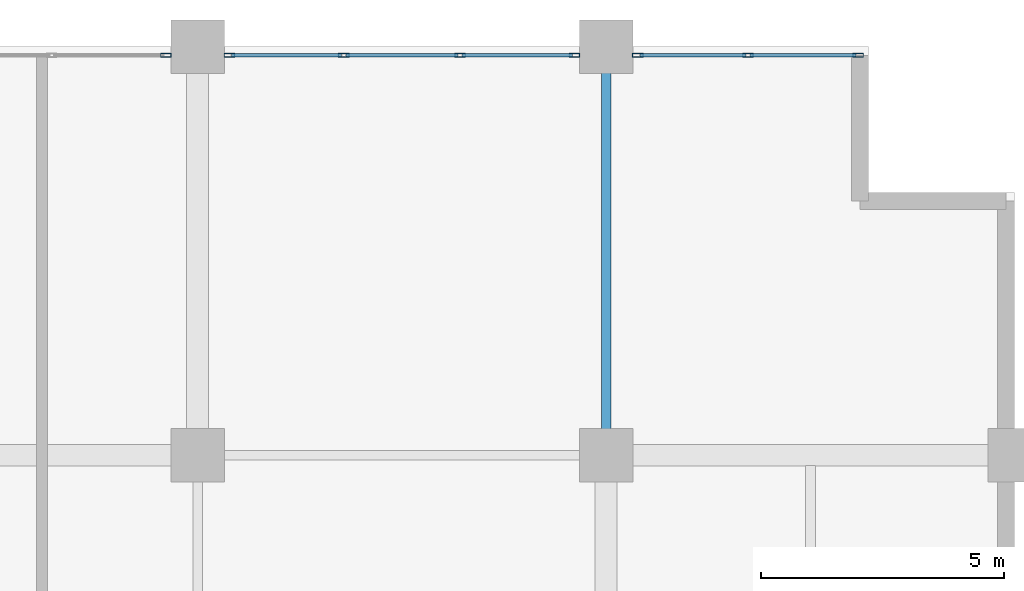
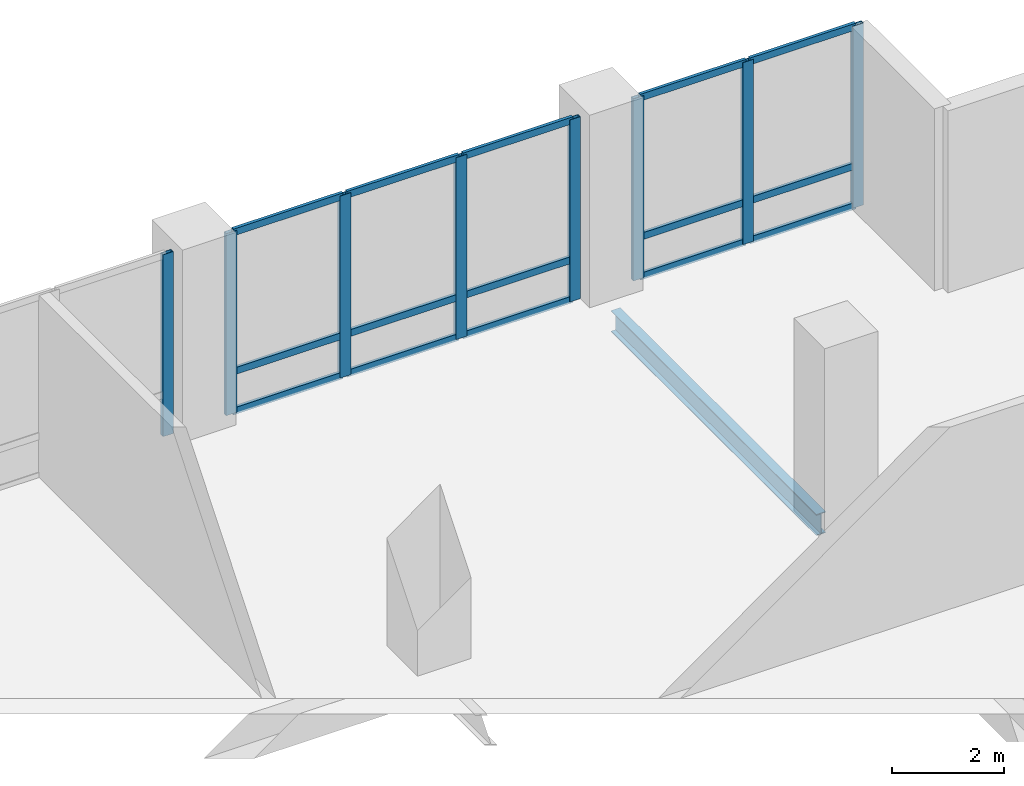
# One storey, part 8 of 22: 23 members, 1 beam, 3 elements without a shape of their own.
"""IFC4 building model written with IfcOpenShell, lengths in metres."""

from ifc_helpers import new_model, si_unit, direction, frame, origin, origin_2d, place, context, subcontext, project, spatial, hollow_rectangle, i_section, extrude, material, layer, layer_set, material_profile, profile_set, type_object, element, aggregate, save


model = new_model("IFC4")

# Units and contexts
model_context = context("Model", 3, precision=1e-05, world=origin(), true_north=direction((0.0, 1.0)))
body_context = subcontext(model_context, "Body", "Model", "MODEL_VIEW")
ifc_project = project(units=[si_unit("LENGTHUNIT", "METRE"), si_unit("AREAUNIT", "SQUARE_METRE"), si_unit("VOLUMEUNIT", "CUBIC_METRE"), si_unit("PLANEANGLEUNIT", "RADIAN"), si_unit("MASSUNIT", "GRAM", prefix="KILO")], contexts=[model_context])

# Site, building, storey
site_placement = place(None, origin())
site = spatial("IfcSite", under=ifc_project, at=site_placement, CompositionType="ELEMENT")
building_placement = place(site_placement, origin())
building = spatial("IfcBuilding", under=site, at=building_placement, Name="Koriwani Terraces Tower", CompositionType="ELEMENT")
storey_placement = place(building_placement, frame((0.0, 0.0, 219.800048828125)))
storey = spatial("IfcBuildingStorey", under=building, at=storey_placement, Name="L54", CompositionType="ELEMENT", Elevation=219.800048828125)

# Curtain wall, member
ifc_material_1 = material(Name="Anodised Bronze Aluminium", Category="aluminium")
ifc_layer = layer(ifc_material_1, 0.219970703125, Name="Anodised Bronze Aluminium")
ifc_layer_set = layer_set([ifc_layer], Name="Anodised Bronze Aluminium")
curtain_wall_type = type_object("IfcCurtainWallType", Name="CW_SKY_LOUNGE", PredefinedType="NOTDEFINED", material=ifc_layer_set)
curtain_wall_1_placement = place(storey_placement, origin())
curtain_wall_1 = element("IfcCurtainWall", 1, at=curtain_wall_1_placement, inside=storey, type_object=curtain_wall_type, Name="L54 Unitised Curtain Wall (N_TIP) Bay 2", PredefinedType="NOTDEFINED")
ifc_material_profile_1 = material_profile(ifc_material_1, hollow_rectangle(XDim=0.0849609375, YDim=0.219970703125, WallThickness=0.008056640625, at=origin_2d()), Name="Anodised Bronze Aluminium", Category="LoadBearing")
ifc_profile_set_1 = profile_set([ifc_material_profile_1], Name="Anodised Bronze Aluminium")
member_type_1 = type_object("IfcMemberType", Name="CW_MULLION_220X85", PredefinedType="MULLION", material=ifc_profile_set_1)
member_1_placement = place(storey_placement, frame((16.1474609375, 75.425048828125, 0.0), z_axis=(0.0, 0.0, 1.0), x_axis=(0.0, 1.0, 0.0)))
member_1 = element("IfcMember", 2, at=member_1_placement, type_object=member_type_1, Name="CW-SKY mullion 4", PredefinedType="MULLION", context=body_context, shape_type="SweptSolid", body=[
    extrude(hollow_rectangle(XDim=0.0849609375, YDim=0.219970703125, WallThickness=0.008056640625, at=origin_2d()), origin(), (0.0, 0.0, 1.0), 3.969970703125),
])
aggregate(curtain_wall_1, [member_1])

# Curtain wall, members
curtain_wall_2_placement = place(storey_placement, origin())
curtain_wall_2 = element("IfcCurtainWall", 3, at=curtain_wall_2_placement, inside=storey, type_object=curtain_wall_type, Name="L54 Unitised Curtain Wall (N_TIP) Bay 3", PredefinedType="NOTDEFINED")
member_2_placement = place(storey_placement, frame((17.452392578125, 75.425048828125, 0.0), z_axis=(0.0, 0.0, 1.0), x_axis=(0.0, 1.0, 0.0)))
member_2 = element("IfcMember", 4, at=member_2_placement, type_object=member_type_1, Name="CW-SKY mullion 1", PredefinedType="MULLION", context=body_context, shape_type="SweptSolid", body=[
    extrude(hollow_rectangle(XDim=0.0849609375, YDim=0.219970703125, WallThickness=0.008056640625, at=origin_2d()), origin(), (0.0, 0.0, 1.0), 3.969970703125),
])
member_3_placement = place(storey_placement, frame((19.80322265625, 75.425048828125, 0.0), z_axis=(0.0, 0.0, 1.0), x_axis=(0.0, 1.0, 0.0)))
member_3 = element("IfcMember", 5, at=member_3_placement, type_object=member_type_1, Name="CW-SKY mullion 2", PredefinedType="MULLION", context=body_context, shape_type="SweptSolid", body=[
    extrude(hollow_rectangle(XDim=0.0849609375, YDim=0.219970703125, WallThickness=0.008056640625, at=origin_2d()), origin(), (0.0, 0.0, 1.0), 3.969970703125),
])
member_4_placement = place(storey_placement, frame((22.19677734375, 75.425048828125, 0.0), z_axis=(0.0, 0.0, 1.0), x_axis=(0.0, 1.0, 0.0)))
member_4 = element("IfcMember", 6, at=member_4_placement, type_object=member_type_1, Name="CW-SKY mullion 3", PredefinedType="MULLION", context=body_context, shape_type="SweptSolid", body=[
    extrude(hollow_rectangle(XDim=0.0849609375, YDim=0.219970703125, WallThickness=0.008056640625, at=origin_2d()), origin(), (0.0, 0.0, 1.0), 3.969970703125),
])
member_5_placement = place(storey_placement, frame((24.547607421875, 75.425048828125, 0.0), z_axis=(0.0, 0.0, 1.0), x_axis=(0.0, 1.0, 0.0)))
member_5 = element("IfcMember", 7, at=member_5_placement, type_object=member_type_1, Name="CW-SKY mullion 4", PredefinedType="MULLION", context=body_context, shape_type="SweptSolid", body=[
    extrude(hollow_rectangle(XDim=0.0849609375, YDim=0.219970703125, WallThickness=0.008056640625, at=origin_2d()), origin(), (0.0, 0.0, 1.0), 3.969970703125),
])

curtain_wall_3_placement = place(storey_placement, origin())
curtain_wall_3 = element("IfcCurtainWall", 8, at=curtain_wall_3_placement, inside=storey, type_object=curtain_wall_type, Name="L54 Unitised Curtain Wall (N_TIP) Bay 4", PredefinedType="NOTDEFINED")
member_6_placement = place(storey_placement, frame((25.8525390625, 75.425048828125, 0.0), z_axis=(0.0, 0.0, 1.0), x_axis=(0.0, 1.0, 0.0)))
member_6 = element("IfcMember", 9, at=member_6_placement, type_object=member_type_1, Name="CW-SKY mullion 1", PredefinedType="MULLION", context=body_context, shape_type="SweptSolid", body=[
    extrude(hollow_rectangle(XDim=0.0849609375, YDim=0.219970703125, WallThickness=0.008056640625, at=origin_2d()), origin(), (0.0, 0.0, 1.0), 3.969970703125),
])
member_7_placement = place(storey_placement, frame((28.117431640625, 75.425048828125, 0.0), z_axis=(0.0, 0.0, 1.0), x_axis=(0.0, 1.0, 0.0)))
member_7 = element("IfcMember", 10, at=member_7_placement, type_object=member_type_1, Name="CW-SKY mullion 2", PredefinedType="MULLION", context=body_context, shape_type="SweptSolid", body=[
    extrude(hollow_rectangle(XDim=0.0849609375, YDim=0.219970703125, WallThickness=0.008056640625, at=origin_2d()), origin(), (0.0, 0.0, 1.0), 3.969970703125),
])
member_8_placement = place(storey_placement, frame((30.382568359375, 75.425048828125, 0.0), z_axis=(0.0, 0.0, 1.0), x_axis=(0.0, 1.0, 0.0)))
member_8 = element("IfcMember", 11, at=member_8_placement, type_object=member_type_1, Name="CW-SKY mullion 3", PredefinedType="MULLION", context=body_context, shape_type="SweptSolid", body=[
    extrude(hollow_rectangle(XDim=0.0849609375, YDim=0.219970703125, WallThickness=0.008056640625, at=origin_2d()), origin(), (0.0, 0.0, 1.0), 3.969970703125),
])

# Member
ifc_material_profile_2 = material_profile(ifc_material_1, hollow_rectangle(XDim=0.06494140625, YDim=0.14990234375, WallThickness=0.0048828125, at=origin_2d()), Name="Anodised Bronze Aluminium", Category="LoadBearing")
ifc_profile_set_2 = profile_set([ifc_material_profile_2], Name="Anodised Bronze Aluminium")
member_type_2 = type_object("IfcMemberType", Name="CW_TRANSOM_150X65", PredefinedType="USERDEFINED", material=ifc_profile_set_2)
member_9_placement = place(storey_placement, frame((17.4951171875, 75.425048828125, 0.032470703125), z_axis=(1.0, 0.0, 0.0), x_axis=(0.0, 1.0, 0.0)))
member_9 = element("IfcMember", 12, at=member_9_placement, type_object=member_type_2, Name="CW-SKY transom 1.1", ObjectType="TRANSOM", PredefinedType="USERDEFINED", context=body_context, shape_type="SweptSolid", body=[
    extrude(hollow_rectangle(XDim=0.06494140625, YDim=0.14990234375, WallThickness=0.0048828125, at=origin_2d()), origin(), (0.0, 0.0, 1.0), 2.265625),
])

member_10_placement = place(storey_placement, frame((17.4951171875, 75.425048828125, 0.89990234375), z_axis=(1.0, 0.0, 0.0), x_axis=(0.0, 1.0, 0.0)))
member_10 = element("IfcMember", 13, at=member_10_placement, type_object=member_type_2, Name="CW-SKY transom 1.2", ObjectType="TRANSOM", PredefinedType="USERDEFINED", context=body_context, shape_type="SweptSolid", body=[
    extrude(hollow_rectangle(XDim=0.06494140625, YDim=0.14990234375, WallThickness=0.0048828125, at=origin_2d()), origin(), (0.0, 0.0, 1.0), 2.265625),
])

member_11_placement = place(storey_placement, frame((17.4951171875, 75.425048828125, 3.9375), z_axis=(1.0, 0.0, 0.0), x_axis=(0.0, 1.0, 0.0)))
member_11 = element("IfcMember", 14, at=member_11_placement, type_object=member_type_2, Name="CW-SKY transom 1.3", ObjectType="TRANSOM", PredefinedType="USERDEFINED", context=body_context, shape_type="SweptSolid", body=[
    extrude(hollow_rectangle(XDim=0.06494140625, YDim=0.14990234375, WallThickness=0.0048828125, at=origin_2d()), origin(), (0.0, 0.0, 1.0), 2.265625),
])

member_12_placement = place(storey_placement, frame((19.845947265625, 75.425048828125, 0.032470703125), z_axis=(1.0, 0.0, 0.0), x_axis=(0.0, 1.0, 0.0)))
member_12 = element("IfcMember", 15, at=member_12_placement, type_object=member_type_2, Name="CW-SKY transom 2.1", ObjectType="TRANSOM", PredefinedType="USERDEFINED", context=body_context, shape_type="SweptSolid", body=[
    extrude(hollow_rectangle(XDim=0.06494140625, YDim=0.14990234375, WallThickness=0.0048828125, at=origin_2d()), origin(), (0.0, 0.0, 1.0), 2.30810546875),
])

member_13_placement = place(storey_placement, frame((19.845947265625, 75.425048828125, 0.89990234375), z_axis=(1.0, 0.0, 0.0), x_axis=(0.0, 1.0, 0.0)))
member_13 = element("IfcMember", 16, at=member_13_placement, type_object=member_type_2, Name="CW-SKY transom 2.2", ObjectType="TRANSOM", PredefinedType="USERDEFINED", context=body_context, shape_type="SweptSolid", body=[
    extrude(hollow_rectangle(XDim=0.06494140625, YDim=0.14990234375, WallThickness=0.0048828125, at=origin_2d()), origin(), (0.0, 0.0, 1.0), 2.30810546875),
])

member_14_placement = place(storey_placement, frame((19.845947265625, 75.425048828125, 3.9375), z_axis=(1.0, 0.0, 0.0), x_axis=(0.0, 1.0, 0.0)))
member_14 = element("IfcMember", 17, at=member_14_placement, type_object=member_type_2, Name="CW-SKY transom 2.3", ObjectType="TRANSOM", PredefinedType="USERDEFINED", context=body_context, shape_type="SweptSolid", body=[
    extrude(hollow_rectangle(XDim=0.06494140625, YDim=0.14990234375, WallThickness=0.0048828125, at=origin_2d()), origin(), (0.0, 0.0, 1.0), 2.30810546875),
])

member_15_placement = place(storey_placement, frame((22.2392578125, 75.425048828125, 0.032470703125), z_axis=(1.0, 0.0, 0.0), x_axis=(0.0, 1.0, 0.0)))
member_15 = element("IfcMember", 18, at=member_15_placement, type_object=member_type_2, Name="CW-SKY transom 3.1", ObjectType="TRANSOM", PredefinedType="USERDEFINED", context=body_context, shape_type="SweptSolid", body=[
    extrude(hollow_rectangle(XDim=0.06494140625, YDim=0.14990234375, WallThickness=0.0048828125, at=origin_2d()), origin(), (0.0, 0.0, 1.0), 2.265625),
])

member_16_placement = place(storey_placement, frame((22.2392578125, 75.425048828125, 0.89990234375), z_axis=(1.0, 0.0, 0.0), x_axis=(0.0, 1.0, 0.0)))
member_16 = element("IfcMember", 19, at=member_16_placement, type_object=member_type_2, Name="CW-SKY transom 3.2", ObjectType="TRANSOM", PredefinedType="USERDEFINED", context=body_context, shape_type="SweptSolid", body=[
    extrude(hollow_rectangle(XDim=0.06494140625, YDim=0.14990234375, WallThickness=0.0048828125, at=origin_2d()), origin(), (0.0, 0.0, 1.0), 2.265625),
])

member_17_placement = place(storey_placement, frame((22.2392578125, 75.425048828125, 3.9375), z_axis=(1.0, 0.0, 0.0), x_axis=(0.0, 1.0, 0.0)))
member_17 = element("IfcMember", 20, at=member_17_placement, type_object=member_type_2, Name="CW-SKY transom 3.3", ObjectType="TRANSOM", PredefinedType="USERDEFINED", context=body_context, shape_type="SweptSolid", body=[
    extrude(hollow_rectangle(XDim=0.06494140625, YDim=0.14990234375, WallThickness=0.0048828125, at=origin_2d()), origin(), (0.0, 0.0, 1.0), 2.265625),
])

aggregate(curtain_wall_2, [member_2, member_3, member_4, member_5, member_9, member_10, member_11, member_12, member_13, member_14, member_15, member_16, member_17])

member_18_placement = place(storey_placement, frame((25.89501953125, 75.425048828125, 0.032470703125), z_axis=(1.0, 0.0, 0.0), x_axis=(0.0, 1.0, 0.0)))
member_18 = element("IfcMember", 21, at=member_18_placement, type_object=member_type_2, Name="CW-SKY transom 1.1", ObjectType="TRANSOM", PredefinedType="USERDEFINED", context=body_context, shape_type="SweptSolid", body=[
    extrude(hollow_rectangle(XDim=0.06494140625, YDim=0.14990234375, WallThickness=0.0048828125, at=origin_2d()), origin(), (0.0, 0.0, 1.0), 2.179931640625),
])

member_19_placement = place(storey_placement, frame((25.89501953125, 75.425048828125, 0.89990234375), z_axis=(1.0, 0.0, 0.0), x_axis=(0.0, 1.0, 0.0)))
member_19 = element("IfcMember", 22, at=member_19_placement, type_object=member_type_2, Name="CW-SKY transom 1.2", ObjectType="TRANSOM", PredefinedType="USERDEFINED", context=body_context, shape_type="SweptSolid", body=[
    extrude(hollow_rectangle(XDim=0.06494140625, YDim=0.14990234375, WallThickness=0.0048828125, at=origin_2d()), origin(), (0.0, 0.0, 1.0), 2.179931640625),
])

member_20_placement = place(storey_placement, frame((25.89501953125, 75.425048828125, 3.9375), z_axis=(1.0, 0.0, 0.0), x_axis=(0.0, 1.0, 0.0)))
member_20 = element("IfcMember", 23, at=member_20_placement, type_object=member_type_2, Name="CW-SKY transom 1.3", ObjectType="TRANSOM", PredefinedType="USERDEFINED", context=body_context, shape_type="SweptSolid", body=[
    extrude(hollow_rectangle(XDim=0.06494140625, YDim=0.14990234375, WallThickness=0.0048828125, at=origin_2d()), origin(), (0.0, 0.0, 1.0), 2.179931640625),
])

member_21_placement = place(storey_placement, frame((28.159912109375, 75.425048828125, 0.032470703125), z_axis=(1.0, 0.0, 0.0), x_axis=(0.0, 1.0, 0.0)))
member_21 = element("IfcMember", 24, at=member_21_placement, type_object=member_type_2, Name="CW-SKY transom 2.1", ObjectType="TRANSOM", PredefinedType="USERDEFINED", context=body_context, shape_type="SweptSolid", body=[
    extrude(hollow_rectangle(XDim=0.06494140625, YDim=0.14990234375, WallThickness=0.0048828125, at=origin_2d()), origin(), (0.0, 0.0, 1.0), 2.18017578125),
])

member_22_placement = place(storey_placement, frame((28.159912109375, 75.425048828125, 0.89990234375), z_axis=(1.0, 0.0, 0.0), x_axis=(0.0, 1.0, 0.0)))
member_22 = element("IfcMember", 25, at=member_22_placement, type_object=member_type_2, Name="CW-SKY transom 2.2", ObjectType="TRANSOM", PredefinedType="USERDEFINED", context=body_context, shape_type="SweptSolid", body=[
    extrude(hollow_rectangle(XDim=0.06494140625, YDim=0.14990234375, WallThickness=0.0048828125, at=origin_2d()), origin(), (0.0, 0.0, 1.0), 2.18017578125),
])

member_23_placement = place(storey_placement, frame((28.159912109375, 75.425048828125, 3.9375), z_axis=(1.0, 0.0, 0.0), x_axis=(0.0, 1.0, 0.0)))
member_23 = element("IfcMember", 26, at=member_23_placement, type_object=member_type_2, Name="CW-SKY transom 2.3", ObjectType="TRANSOM", PredefinedType="USERDEFINED", context=body_context, shape_type="SweptSolid", body=[
    extrude(hollow_rectangle(XDim=0.06494140625, YDim=0.14990234375, WallThickness=0.0048828125, at=origin_2d()), origin(), (0.0, 0.0, 1.0), 2.18017578125),
])

aggregate(curtain_wall_3, [member_6, member_7, member_8, member_18, member_19, member_20, member_21, member_22, member_23])

# Beam
ifc_material_2 = material(Name="Steel ASTM A572 Grade 50", Category="steel")
ifc_material_profile_3 = material_profile(ifc_material_2, i_section(OverallWidth=0.193115234375, OverallDepth=0.462890625, WebThickness=0.0107421875, FlangeThickness=0.017333984375, at=origin_2d()), Name="Steel ASTM A572 Grade 50", Category="LoadBearing")
ifc_profile_set_3 = profile_set([ifc_material_profile_3], Name="Steel ASTM A572 Grade 50")
beam_type = type_object("IfcBeamType", Name="STEEL_BEAM_W460X113", PredefinedType="BEAM", material=ifc_profile_set_3)
beam_placement = place(storey_placement, frame((25.199951171875, 67.72998046875, -0.461669921875), z_axis=(0.0, 1.0, 0.0), x_axis=(-1.0, 0.0, 0.0)))
element("IfcBeam", 27, at=beam_placement, inside=storey, type_object=beam_type, Name="L54 Grid Beam 4 (67.2-75.6m)", PredefinedType="BEAM", context=body_context, shape_type="SweptSolid", body=[
    extrude(i_section(OverallWidth=0.193115234375, OverallDepth=0.462890625, WebThickness=0.0107421875, FlangeThickness=0.017333984375, at=origin_2d()), origin(), (0.0, 0.0, 1.0), 7.340087890625),
])

save(model, "model.ifc")
